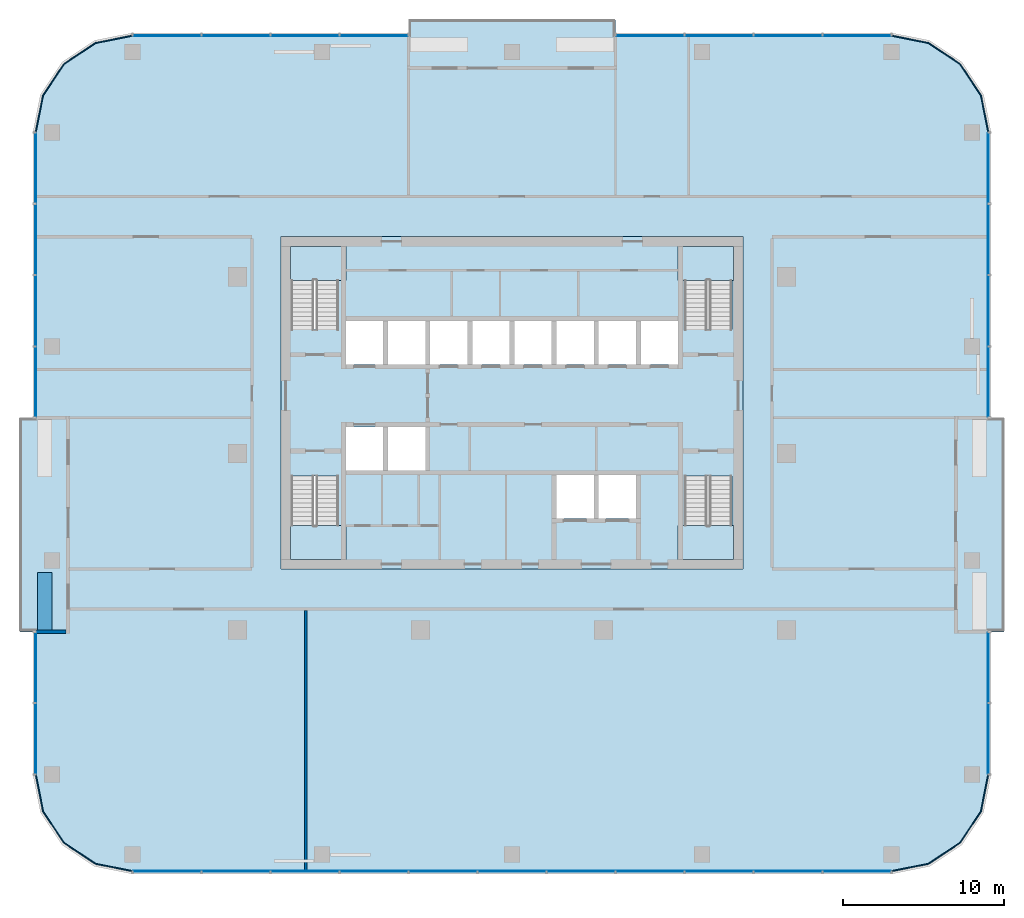
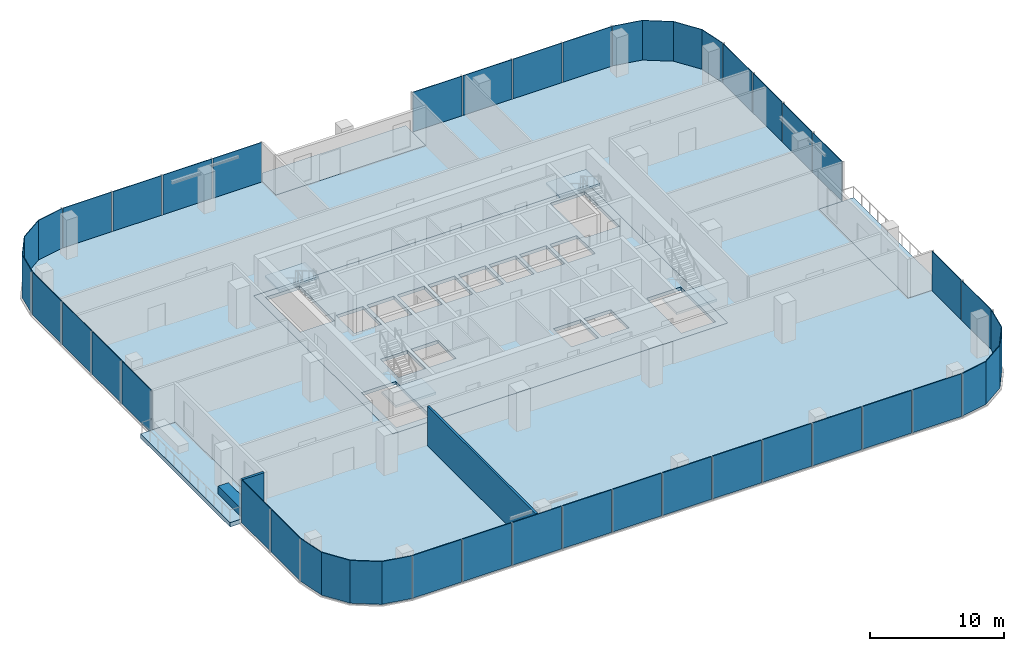
# One storey, part 6 of 13: 35 plates, 9 slabs, 3 walls, 15 elements without a shape of their own.
"""IFC4 building model written with IfcOpenShell, lengths in metres."""

from ifc_helpers import new_model, si_unit, direction, frame, frame_2d, origin, origin_2d, place, context, subcontext, project, spatial, polyline, rectangle, outline, extrude, material, layer, layer_set, type_object, element, aggregate, save


model = new_model("IFC4")

# Units and contexts
model_context = context("Model", 3, precision=1e-05, world=origin(), true_north=direction((0.0, 1.0)))
body_context = subcontext(model_context, "Body", "Model", "MODEL_VIEW")
ifc_project = project(units=[si_unit("LENGTHUNIT", "METRE"), si_unit("AREAUNIT", "SQUARE_METRE"), si_unit("VOLUMEUNIT", "CUBIC_METRE"), si_unit("PLANEANGLEUNIT", "RADIAN"), si_unit("MASSUNIT", "GRAM", prefix="KILO")], contexts=[model_context])

# Site, building, storey
site_placement = place(None, origin())
site = spatial("IfcSite", under=ifc_project, at=site_placement, CompositionType="ELEMENT")
building_placement = place(site_placement, origin())
building = spatial("IfcBuilding", under=site, at=building_placement, Name="Mopane Tessera Tower", CompositionType="ELEMENT")
storey_placement = place(building_placement, frame((0.0, 0.0, 287.39990234375)))
storey = spatial("IfcBuildingStorey", under=building, at=storey_placement, Name="L62", CompositionType="ELEMENT", Elevation=287.39990234375)

# Slab
ifc_material_1 = material(Name="Concrete C40/50", Category="concrete")
ifc_layer_1 = layer(ifc_material_1, 0.300048828125)
ifc_layer_set_1 = layer_set([ifc_layer_1], Name="Concrete C40/50")
slab_type_1 = type_object("IfcSlabType", Name="Core floor slab 300 mm", PredefinedType="FLOOR", material=ifc_layer_set_1)
slab_1_placement = place(storey_placement, frame((0.0, 0.0, -0.2998046875)))
element("IfcSlab", 1, at=slab_1_placement, inside=storey, type_object=slab_type_1, Name="L62 core floor slab", PredefinedType="FLOOR", context=body_context, shape_type="SweptSolid", body=[
    extrude(outline(polyline([(-14.39990234375, -7.199951171875), (14.39990234375, -7.199951171875), (14.39990234375, 13.5), (-14.39990234375, 13.5), (-14.39990234375, -7.199951171875)]), holes=[polyline([(-10.35009765625, -1.050048828125), (-8.02490234375, -1.050048828125), (-8.02490234375, 1.64990234375), (-10.35009765625, 1.64990234375), (-10.35009765625, -1.050048828125)]), polyline([(-7.72509765625, -1.050048828125), (-5.39990234375, -1.050048828125), (-5.39990234375, 1.64990234375), (-7.72509765625, 1.64990234375), (-7.72509765625, -1.050048828125)]), polyline([(-10.35009765625, 5.550048828125), (-8.02490234375, 5.550048828125), (-8.02490234375, 8.25), (-10.35009765625, 8.25), (-10.35009765625, 5.550048828125)]), polyline([(-7.72509765625, 5.550048828125), (-5.39990234375, 5.550048828125), (-5.39990234375, 8.25), (-7.72509765625, 8.25), (-7.72509765625, 5.550048828125)]), polyline([(-5.10009765625, 5.550048828125), (-2.77490234375, 5.550048828125), (-2.77490234375, 8.25), (-5.10009765625, 8.25), (-5.10009765625, 5.550048828125)]), polyline([(-2.47509765625, 5.550048828125), (-0.14990234375, 5.550048828125), (-0.14990234375, 8.25), (-2.47509765625, 8.25), (-2.47509765625, 5.550048828125)]), polyline([(0.14990234375, 5.550048828125), (2.47509765625, 5.550048828125), (2.47509765625, 8.25), (0.14990234375, 8.25), (0.14990234375, 5.550048828125)]), polyline([(2.77490234375, 5.550048828125), (5.10009765625, 5.550048828125), (5.10009765625, 8.25), (2.77490234375, 8.25), (2.77490234375, 5.550048828125)]), polyline([(5.39990234375, 5.550048828125), (7.72509765625, 5.550048828125), (7.72509765625, 8.25), (5.39990234375, 8.25), (5.39990234375, 5.550048828125)]), polyline([(8.02490234375, 5.550048828125), (10.35009765625, 5.550048828125), (10.35009765625, 8.25), (8.02490234375, 8.25), (8.02490234375, 5.550048828125)]), polyline([(2.77490234375, -4.050048828125), (5.10009765625, -4.050048828125), (5.10009765625, -1.35009765625), (2.77490234375, -1.35009765625), (2.77490234375, -4.050048828125)]), polyline([(5.39990234375, -4.050048828125), (7.72509765625, -4.050048828125), (7.72509765625, -1.35009765625), (5.39990234375, -1.35009765625), (5.39990234375, -4.050048828125)]), polyline([(-13.75, -1.405029296875), (-13.75, -6.60009765625), (-10.800048828125, -6.60009765625), (-10.800048828125, -1.405029296875), (-13.75, -1.405029296875)]), polyline([(-10.800048828125, 7.705078125), (-10.800048828125, 12.89990234375), (-13.75, 12.89990234375), (-13.75, 7.705078125), (-10.800048828125, 7.705078125)]), polyline([(10.75, -1.405029296875), (10.75, -6.60009765625), (13.699951171875, -6.60009765625), (13.699951171875, -1.405029296875), (10.75, -1.405029296875)]), polyline([(13.699951171875, 7.705078125), (13.699951171875, 12.89990234375), (10.75, 12.89990234375), (10.75, 7.705078125), (13.699951171875, 7.705078125)])]), origin(), (0.0, 0.0, 1.0), 0.2998046875),
])

# Stair, slab
ifc_material_2 = material(Name="Concrete C50/60", Category="concrete")
stair_type = type_object("IfcStairType", Name="Escape stair 1400 mm, riser 167 mm", PredefinedType="HALF_TURN_STAIR", material=ifc_material_2)
stair_1_placement = place(storey_placement, origin())
stair_1 = element("IfcStair", 2, at=stair_1_placement, inside=storey, type_object=stair_type, Name="L62 Escape stair south-west", PredefinedType="HALF_TURN_STAIR")
ifc_material_3 = material(Name="Concrete C50/60", Category="concrete")
ifc_layer_2 = layer(ifc_material_3, 0.199951171875)
ifc_layer_set_2 = layer_set([ifc_layer_2], Name="Concrete C50/60")
slab_type_2 = type_object("IfcSlabType", Name="Escape stair landing 200 mm", PredefinedType="LANDING", material=ifc_layer_set_2)
slab_2_placement = place(storey_placement, frame((0.0, 0.0, 1.800048828125)))
slab_2 = element("IfcSlab", 3, at=slab_2_placement, type_object=slab_type_2, Name="ST1 landing 1", PredefinedType="LANDING", context=body_context, shape_type="SweptSolid", body=[
    extrude(outline(polyline([(-13.800048828125, -4.47998046875), (-13.800048828125, -6.60009765625), (-10.35009765625, -6.60009765625), (-10.35009765625, -4.47998046875), (-13.800048828125, -4.47998046875)])), origin(), (0.0, 0.0, 1.0), 0.199951171875),
])
aggregate(stair_1, [slab_2])

stair_2_placement = place(storey_placement, origin())
stair_2 = element("IfcStair", 4, at=stair_2_placement, inside=storey, type_object=stair_type, Name="L62 Escape stair north-west", PredefinedType="HALF_TURN_STAIR")
slab_3_placement = place(storey_placement, frame((0.0, 0.0, 1.800048828125)))
slab_3 = element("IfcSlab", 5, at=slab_3_placement, type_object=slab_type_2, Name="ST2 landing 1", PredefinedType="LANDING", context=body_context, shape_type="SweptSolid", body=[
    extrude(outline(polyline([(-10.35009765625, 10.780029296875), (-10.35009765625, 12.89990234375), (-13.800048828125, 12.89990234375), (-13.800048828125, 10.780029296875), (-10.35009765625, 10.780029296875)])), origin(), (0.0, 0.0, 1.0), 0.199951171875),
])
aggregate(stair_2, [slab_3])

stair_3_placement = place(storey_placement, origin())
stair_3 = element("IfcStair", 6, at=stair_3_placement, inside=storey, type_object=stair_type, Name="L62 Escape stair south-east", PredefinedType="HALF_TURN_STAIR")
slab_4_placement = place(storey_placement, frame((0.0, 0.0, 1.800048828125)))
slab_4 = element("IfcSlab", 7, at=slab_4_placement, type_object=slab_type_2, Name="ST3 landing 1", PredefinedType="LANDING", context=body_context, shape_type="SweptSolid", body=[
    extrude(outline(polyline([(10.35009765625, -4.47998046875), (10.35009765625, -6.60009765625), (13.800048828125, -6.60009765625), (13.800048828125, -4.47998046875), (10.35009765625, -4.47998046875)])), origin(), (0.0, 0.0, 1.0), 0.199951171875),
])
aggregate(stair_3, [slab_4])

stair_4_placement = place(storey_placement, origin())
stair_4 = element("IfcStair", 8, at=stair_4_placement, inside=storey, type_object=stair_type, Name="L62 Escape stair north-east", PredefinedType="HALF_TURN_STAIR")
slab_5_placement = place(storey_placement, frame((0.0, 0.0, 1.800048828125)))
slab_5 = element("IfcSlab", 9, at=slab_5_placement, type_object=slab_type_2, Name="ST4 landing 1", PredefinedType="LANDING", context=body_context, shape_type="SweptSolid", body=[
    extrude(outline(polyline([(13.800048828125, 10.780029296875), (13.800048828125, 12.89990234375), (10.35009765625, 12.89990234375), (10.35009765625, 10.780029296875), (13.800048828125, 10.780029296875)])), origin(), (0.0, 0.0, 1.0), 0.199951171875),
])
aggregate(stair_4, [slab_5])

# Slabs
ifc_material_4 = material(Name="Concrete C40/50", Category="concrete")
ifc_layer_3 = layer(ifc_material_4, 0.39990234375)
ifc_layer_set_3 = layer_set([ifc_layer_3], Name="Concrete C40/50")
slab_type_3 = type_object("IfcSlabType", Name="Planted terrace slab 400 mm", PredefinedType="FLOOR", material=ifc_layer_set_3)
slab_6_placement = place(storey_placement, frame((0.0, 0.0, -0.39990234375)))
element("IfcSlab", 10, at=slab_6_placement, inside=storey, type_object=slab_type_3, Name="Terrace slab N1 L62", PredefinedType="FLOOR", context=body_context, shape_type="SweptSolid", body=[
    extrude(outline(polyline([(30.64990234375, 2.22216796875), (27.64990234375, 2.22216796875), (27.64990234375, -11.111083984375), (30.64990234375, -11.111083984375), (30.64990234375, 2.22216796875)])), origin(), (0.0, 0.0, 1.0), 0.39990234375),
])
slab_7_placement = place(storey_placement, frame((0.0, 0.0, -0.39990234375)))
element("IfcSlab", 11, at=slab_7_placement, inside=storey, type_object=slab_type_3, Name="Terrace slab N2 L62", PredefinedType="FLOOR", context=body_context, shape_type="SweptSolid", body=[
    extrude(outline(polyline([(-6.449951171875, 27.0), (-6.449951171875, 24.0), (6.449951171875, 24.0), (6.449951171875, 27.0), (-6.449951171875, 27.0)])), origin(), (0.0, 0.0, 1.0), 0.39990234375),
])
slab_8_placement = place(storey_placement, frame((0.0, 0.0, -0.39990234375)))
element("IfcSlab", 12, at=slab_8_placement, inside=storey, type_object=slab_type_3, Name="Terrace slab N3 L62", PredefinedType="FLOOR", context=body_context, shape_type="SweptSolid", body=[
    extrude(outline(polyline([(-30.64990234375, -11.111083984375), (-27.64990234375, -11.111083984375), (-27.64990234375, 2.22216796875), (-30.64990234375, 2.22216796875), (-30.64990234375, -11.111083984375)])), origin(), (0.0, 0.0, 1.0), 0.39990234375),
])
ifc_material_5 = material(Name="Concrete C40/50", Category="concrete")
ifc_layer_4 = layer(ifc_material_5, 0.39990234375)
ifc_layer_set_4 = layer_set([ifc_layer_4], Name="Concrete C40/50")
slab_type_4 = type_object("IfcSlabType", Name="Post-tensioned flat plate 400 mm", PredefinedType="FLOOR", material=ifc_layer_set_4)
slab_9_placement = place(storey_placement, frame((0.0, 0.0, -0.39990234375)))
element("IfcSlab", 13, at=slab_9_placement, inside=storey, type_object=slab_type_4, Name="Floor slab L62", PredefinedType="FLOOR", context=body_context, shape_type="SweptSolid", body=[
    extrude(outline(polyline([(29.64990234375, -20.0), (29.64990234375, -11.111083984375), (27.64990234375, -11.111083984375), (27.64990234375, 2.22216796875), (29.64990234375, 2.22216796875), (29.64990234375, 20.0), (29.193359375, 22.296142578125), (27.892578125, 24.24267578125), (25.946044921875, 25.543212890625), (23.64990234375, 26.0), (6.449951171875, 26.0), (6.449951171875, 24.0), (-6.449951171875, 24.0), (-6.449951171875, 26.0), (-23.64990234375, 26.0), (-25.946044921875, 25.543212890625), (-27.892578125, 24.24267578125), (-29.193359375, 22.296142578125), (-29.64990234375, 20.0), (-29.64990234375, 2.22216796875), (-27.64990234375, 2.22216796875), (-27.64990234375, -11.111083984375), (-29.64990234375, -11.111083984375), (-29.64990234375, -20.0), (-29.193359375, -22.296142578125), (-27.892578125, -24.24267578125), (-25.946044921875, -25.543212890625), (-23.64990234375, -26.0), (23.64990234375, -26.0), (25.946044921875, -25.543212890625), (27.892578125, -24.24267578125), (29.193359375, -22.296142578125), (29.64990234375, -20.0)]), holes=[polyline([(14.39990234375, -7.199951171875), (-14.39990234375, -7.199951171875), (-14.39990234375, 13.5), (14.39990234375, 13.5), (14.39990234375, -7.199951171875)])]), origin(), (0.0, 0.0, 1.0), 0.39990234375),
])

# Curtain wall, plates
ifc_material_6 = material(Name="Aluminium frame", Category="aluminium")
curtain_wall_type = type_object("IfcCurtainWallType", Name="Unitised curtain wall", PredefinedType="NOTDEFINED", material=ifc_material_6)
curtain_wall_1_placement = place(storey_placement, origin())
curtain_wall_1 = element("IfcCurtainWall", 14, at=curtain_wall_1_placement, inside=storey, type_object=curtain_wall_type, Name="e:cw:L62:S:0", PredefinedType="NOTDEFINED")
ifc_material_7 = material(Name="Clear laminated glass", Category="glass")
ifc_layer_5 = layer(ifc_material_7, 0.06005859375)
ifc_layer_set_5 = layer_set([ifc_layer_5], Name="Clear laminated glass")
plate_type = type_object("IfcPlateType", Name="Unitised glazed unit", PredefinedType="CURTAIN_PANEL", material=ifc_layer_set_5)
plate_1_placement = place(storey_placement, frame((-21.5, -26.030029296875, -0.27978515625), z_axis=(0.0, 0.0, 1.0), x_axis=(1.0, 0.0, 0.0)))
plate_1 = element("IfcPlate", 15, at=plate_1_placement, type_object=plate_type, Name="e:cw:L62:S:0:pn0", PredefinedType="CURTAIN_PANEL", context=body_context, shape_type="SweptSolid", body=[
    extrude(rectangle(XDim=4.199951171875, YDim=0.06005859375, at=origin_2d()), origin(), (0.0, 0.0, 1.0), 3.8798828125),
])
plate_2_placement = place(storey_placement, frame((-17.199951171875, -26.030029296875, -0.27978515625), z_axis=(0.0, 0.0, 1.0), x_axis=(1.0, 0.0, 0.0)))
plate_2 = element("IfcPlate", 16, at=plate_2_placement, type_object=plate_type, Name="e:cw:L62:S:0:pn1", PredefinedType="CURTAIN_PANEL", context=body_context, shape_type="SweptSolid", body=[
    extrude(rectangle(XDim=4.199951171875, YDim=0.06005859375, at=origin_2d()), origin(), (0.0, 0.0, 1.0), 3.8798828125),
])
plate_3_placement = place(storey_placement, frame((-12.89990234375, -26.030029296875, -0.27978515625), z_axis=(0.0, 0.0, 1.0), x_axis=(1.0, 0.0, 0.0)))
plate_3 = element("IfcPlate", 17, at=plate_3_placement, type_object=plate_type, Name="e:cw:L62:S:0:pn2", PredefinedType="CURTAIN_PANEL", context=body_context, shape_type="SweptSolid", body=[
    extrude(rectangle(XDim=4.199951171875, YDim=0.06005859375, at=origin_2d()), origin(), (0.0, 0.0, 1.0), 3.8798828125),
])
plate_4_placement = place(storey_placement, frame((-8.60009765625, -26.030029296875, -0.27978515625), z_axis=(0.0, 0.0, 1.0), x_axis=(1.0, 0.0, 0.0)))
plate_4 = element("IfcPlate", 18, at=plate_4_placement, type_object=plate_type, Name="e:cw:L62:S:0:pn3", PredefinedType="CURTAIN_PANEL", context=body_context, shape_type="SweptSolid", body=[
    extrude(rectangle(XDim=4.199951171875, YDim=0.06005859375, at=origin_2d()), origin(), (0.0, 0.0, 1.0), 3.8798828125),
])
plate_5_placement = place(storey_placement, frame((-4.300048828125, -26.030029296875, -0.27978515625), z_axis=(0.0, 0.0, 1.0), x_axis=(1.0, 0.0, 0.0)))
plate_5 = element("IfcPlate", 19, at=plate_5_placement, type_object=plate_type, Name="e:cw:L62:S:0:pn4", PredefinedType="CURTAIN_PANEL", context=body_context, shape_type="SweptSolid", body=[
    extrude(rectangle(XDim=4.199951171875, YDim=0.06005859375, at=origin_2d()), origin(), (0.0, 0.0, 1.0), 3.8798828125),
])
plate_6_placement = place(storey_placement, frame((0.0, -26.030029296875, -0.27978515625), z_axis=(0.0, 0.0, 1.0), x_axis=(1.0, 0.0, 0.0)))
plate_6 = element("IfcPlate", 20, at=plate_6_placement, type_object=plate_type, Name="e:cw:L62:S:0:pn5", PredefinedType="CURTAIN_PANEL", context=body_context, shape_type="SweptSolid", body=[
    extrude(rectangle(XDim=4.199951171875, YDim=0.06005859375, at=origin_2d()), origin(), (0.0, 0.0, 1.0), 3.8798828125),
])
plate_7_placement = place(storey_placement, frame((4.300048828125, -26.030029296875, -0.27978515625), z_axis=(0.0, 0.0, 1.0), x_axis=(1.0, 0.0, 0.0)))
plate_7 = element("IfcPlate", 21, at=plate_7_placement, type_object=plate_type, Name="e:cw:L62:S:0:pn6", PredefinedType="CURTAIN_PANEL", context=body_context, shape_type="SweptSolid", body=[
    extrude(rectangle(XDim=4.199951171875, YDim=0.06005859375, at=origin_2d()), origin(), (0.0, 0.0, 1.0), 3.8798828125),
])
plate_8_placement = place(storey_placement, frame((8.60009765625, -26.030029296875, -0.27978515625), z_axis=(0.0, 0.0, 1.0), x_axis=(1.0, 0.0, 0.0)))
plate_8 = element("IfcPlate", 22, at=plate_8_placement, type_object=plate_type, Name="e:cw:L62:S:0:pn7", PredefinedType="CURTAIN_PANEL", context=body_context, shape_type="SweptSolid", body=[
    extrude(rectangle(XDim=4.199951171875, YDim=0.06005859375, at=origin_2d()), origin(), (0.0, 0.0, 1.0), 3.8798828125),
])
plate_9_placement = place(storey_placement, frame((12.89990234375, -26.030029296875, -0.27978515625), z_axis=(0.0, 0.0, 1.0), x_axis=(1.0, 0.0, 0.0)))
plate_9 = element("IfcPlate", 23, at=plate_9_placement, type_object=plate_type, Name="e:cw:L62:S:0:pn8", PredefinedType="CURTAIN_PANEL", context=body_context, shape_type="SweptSolid", body=[
    extrude(rectangle(XDim=4.199951171875, YDim=0.06005859375, at=origin_2d()), origin(), (0.0, 0.0, 1.0), 3.8798828125),
])
plate_10_placement = place(storey_placement, frame((17.199951171875, -26.030029296875, -0.27978515625), z_axis=(0.0, 0.0, 1.0), x_axis=(1.0, 0.0, 0.0)))
plate_10 = element("IfcPlate", 24, at=plate_10_placement, type_object=plate_type, Name="e:cw:L62:S:0:pn9", PredefinedType="CURTAIN_PANEL", context=body_context, shape_type="SweptSolid", body=[
    extrude(rectangle(XDim=4.199951171875, YDim=0.06005859375, at=origin_2d()), origin(), (0.0, 0.0, 1.0), 3.8798828125),
])
plate_11_placement = place(storey_placement, frame((21.5, -26.030029296875, -0.27978515625), z_axis=(0.0, 0.0, 1.0), x_axis=(1.0, 0.0, 0.0)))
plate_11 = element("IfcPlate", 25, at=plate_11_placement, type_object=plate_type, Name="e:cw:L62:S:0:pn10", PredefinedType="CURTAIN_PANEL", context=body_context, shape_type="SweptSolid", body=[
    extrude(rectangle(XDim=4.199951171875, YDim=0.06005859375, at=origin_2d()), origin(), (0.0, 0.0, 1.0), 3.8798828125),
])
aggregate(curtain_wall_1, [plate_1, plate_2, plate_3, plate_4, plate_5, plate_6, plate_7, plate_8, plate_9, plate_10, plate_11])

# Curtain wall, plate
curtain_wall_2_placement = place(storey_placement, origin())
curtain_wall_2 = element("IfcCurtainWall", 26, at=curtain_wall_2_placement, inside=storey, type_object=curtain_wall_type, Name="e:cw:L62:CS", PredefinedType="NOTDEFINED")
plate_12_placement = place(storey_placement, frame((0.0, 0.0, -0.27978515625)))
plate_12 = element("IfcPlate", 27, at=plate_12_placement, type_object=plate_type, Name="e:cw:L62:CS:pn", PredefinedType="CURTAIN_PANEL", context=body_context, shape_type="SweptSolid", body=[
    extrude(outline(polyline([(23.64990234375, -26.0), (25.946044921875, -25.543212890625), (27.892578125, -24.24267578125), (29.193359375, -22.296142578125), (29.64990234375, -20.0), (29.7099609375, -20.0), (29.248779296875, -22.319091796875), (27.93505859375, -24.28515625), (25.968994140625, -25.5986328125), (23.64990234375, -26.06005859375), (23.64990234375, -26.0)])), origin(), (0.0, 0.0, 1.0), 3.8798828125),
])
aggregate(curtain_wall_2, [plate_12])

# Curtain wall, plates
curtain_wall_3_placement = place(storey_placement, origin())
curtain_wall_3 = element("IfcCurtainWall", 28, at=curtain_wall_3_placement, inside=storey, type_object=curtain_wall_type, Name="e:cw:L62:E:0", PredefinedType="NOTDEFINED")
plate_13_placement = place(storey_placement, frame((29.679931640625, -17.77783203125, -0.27978515625), z_axis=(0.0, 0.0, 1.0), x_axis=(0.0, 1.0, 0.0)))
plate_13 = element("IfcPlate", 29, at=plate_13_placement, type_object=plate_type, Name="e:cw:L62:E:0:pn0", PredefinedType="CURTAIN_PANEL", context=body_context, shape_type="SweptSolid", body=[
    extrude(rectangle(XDim=4.344482421875, YDim=0.06005859375, at=origin_2d()), origin(), (0.0, 0.0, 1.0), 3.8798828125),
])
plate_14_placement = place(storey_placement, frame((29.679931640625, -13.333251953125, -0.27978515625), z_axis=(0.0, 0.0, 1.0), x_axis=(0.0, 1.0, 0.0)))
plate_14 = element("IfcPlate", 30, at=plate_14_placement, type_object=plate_type, Name="e:cw:L62:E:0:pn1", PredefinedType="CURTAIN_PANEL", context=body_context, shape_type="SweptSolid", body=[
    extrude(rectangle(XDim=4.344482421875, YDim=0.06005859375, at=origin_2d()), origin(), (0.0, 0.0, 1.0), 3.8798828125),
])
aggregate(curtain_wall_3, [plate_13, plate_14])

curtain_wall_4_placement = place(storey_placement, origin())
curtain_wall_4 = element("IfcCurtainWall", 31, at=curtain_wall_4_placement, inside=storey, type_object=curtain_wall_type, Name="e:cw:L62:E:5", PredefinedType="NOTDEFINED")
plate_15_placement = place(storey_placement, frame((29.679931640625, 4.4443359375, -0.27978515625), z_axis=(0.0, 0.0, 1.0), x_axis=(0.0, 1.0, 0.0)))
plate_15 = element("IfcPlate", 32, at=plate_15_placement, type_object=plate_type, Name="e:cw:L62:E:5:pn5", PredefinedType="CURTAIN_PANEL", context=body_context, shape_type="SweptSolid", body=[
    extrude(rectangle(XDim=4.344482421875, YDim=0.06005859375, at=origin_2d()), origin(), (0.0, 0.0, 1.0), 3.8798828125),
])
plate_16_placement = place(storey_placement, frame((29.679931640625, 8.888916015625, -0.27978515625), z_axis=(0.0, 0.0, 1.0), x_axis=(0.0, 1.0, 0.0)))
plate_16 = element("IfcPlate", 33, at=plate_16_placement, type_object=plate_type, Name="e:cw:L62:E:5:pn6", PredefinedType="CURTAIN_PANEL", context=body_context, shape_type="SweptSolid", body=[
    extrude(rectangle(XDim=4.344482421875, YDim=0.06005859375, at=origin_2d()), origin(), (0.0, 0.0, 1.0), 3.8798828125),
])
plate_17_placement = place(storey_placement, frame((29.679931640625, 13.333251953125, -0.27978515625), z_axis=(0.0, 0.0, 1.0), x_axis=(0.0, 1.0, 0.0)))
plate_17 = element("IfcPlate", 34, at=plate_17_placement, type_object=plate_type, Name="e:cw:L62:E:5:pn7", PredefinedType="CURTAIN_PANEL", context=body_context, shape_type="SweptSolid", body=[
    extrude(rectangle(XDim=4.344482421875, YDim=0.06005859375, at=origin_2d()), origin(), (0.0, 0.0, 1.0), 3.8798828125),
])
plate_18_placement = place(storey_placement, frame((29.679931640625, 17.77783203125, -0.27978515625), z_axis=(0.0, 0.0, 1.0), x_axis=(0.0, 1.0, 0.0)))
plate_18 = element("IfcPlate", 35, at=plate_18_placement, type_object=plate_type, Name="e:cw:L62:E:5:pn8", PredefinedType="CURTAIN_PANEL", context=body_context, shape_type="SweptSolid", body=[
    extrude(rectangle(XDim=4.344482421875, YDim=0.06005859375, at=origin_2d()), origin(), (0.0, 0.0, 1.0), 3.8798828125),
])
aggregate(curtain_wall_4, [plate_15, plate_16, plate_17, plate_18])

# Curtain wall, plate
curtain_wall_5_placement = place(storey_placement, origin())
curtain_wall_5 = element("IfcCurtainWall", 36, at=curtain_wall_5_placement, inside=storey, type_object=curtain_wall_type, Name="e:cw:L62:CE", PredefinedType="NOTDEFINED")
plate_19_placement = place(storey_placement, frame((0.0, 0.0, -0.27978515625)))
plate_19 = element("IfcPlate", 37, at=plate_19_placement, type_object=plate_type, Name="e:cw:L62:CE:pn", PredefinedType="CURTAIN_PANEL", context=body_context, shape_type="SweptSolid", body=[
    extrude(outline(polyline([(29.64990234375, 20.0), (29.193359375, 22.296142578125), (27.892578125, 24.24267578125), (25.946044921875, 25.543212890625), (23.64990234375, 26.0), (23.64990234375, 26.06005859375), (25.968994140625, 25.5986328125), (27.93505859375, 24.28515625), (29.248779296875, 22.319091796875), (29.7099609375, 20.0), (29.64990234375, 20.0)])), origin(), (0.0, 0.0, 1.0), 3.8798828125),
])
aggregate(curtain_wall_5, [plate_19])

# Curtain wall, plates
curtain_wall_6_placement = place(storey_placement, origin())
curtain_wall_6 = element("IfcCurtainWall", 38, at=curtain_wall_6_placement, inside=storey, type_object=curtain_wall_type, Name="e:cw:L62:N:0", PredefinedType="NOTDEFINED")
plate_20_placement = place(storey_placement, frame((21.5, 26.030029296875, -0.27978515625), z_axis=(0.0, 0.0, 1.0), x_axis=(-1.0, 0.0, 0.0)))
plate_20 = element("IfcPlate", 39, at=plate_20_placement, type_object=plate_type, Name="e:cw:L62:N:0:pn0", PredefinedType="CURTAIN_PANEL", context=body_context, shape_type="SweptSolid", body=[
    extrude(rectangle(XDim=4.199951171875, YDim=0.06005859375, at=origin_2d()), origin(), (0.0, 0.0, 1.0), 3.8798828125),
])
plate_21_placement = place(storey_placement, frame((17.199951171875, 26.030029296875, -0.27978515625), z_axis=(0.0, 0.0, 1.0), x_axis=(-1.0, 0.0, 0.0)))
plate_21 = element("IfcPlate", 40, at=plate_21_placement, type_object=plate_type, Name="e:cw:L62:N:0:pn1", PredefinedType="CURTAIN_PANEL", context=body_context, shape_type="SweptSolid", body=[
    extrude(rectangle(XDim=4.199951171875, YDim=0.06005859375, at=origin_2d()), origin(), (0.0, 0.0, 1.0), 3.8798828125),
])
plate_22_placement = place(storey_placement, frame((12.89990234375, 26.030029296875, -0.27978515625), z_axis=(0.0, 0.0, 1.0), x_axis=(-1.0, 0.0, 0.0)))
plate_22 = element("IfcPlate", 41, at=plate_22_placement, type_object=plate_type, Name="e:cw:L62:N:0:pn2", PredefinedType="CURTAIN_PANEL", context=body_context, shape_type="SweptSolid", body=[
    extrude(rectangle(XDim=4.199951171875, YDim=0.06005859375, at=origin_2d()), origin(), (0.0, 0.0, 1.0), 3.8798828125),
])
plate_23_placement = place(storey_placement, frame((8.60009765625, 26.030029296875, -0.27978515625), z_axis=(0.0, 0.0, 1.0), x_axis=(-1.0, 0.0, 0.0)))
plate_23 = element("IfcPlate", 42, at=plate_23_placement, type_object=plate_type, Name="e:cw:L62:N:0:pn3", PredefinedType="CURTAIN_PANEL", context=body_context, shape_type="SweptSolid", body=[
    extrude(rectangle(XDim=4.199951171875, YDim=0.06005859375, at=origin_2d()), origin(), (0.0, 0.0, 1.0), 3.8798828125),
])
aggregate(curtain_wall_6, [plate_20, plate_21, plate_22, plate_23])

curtain_wall_7_placement = place(storey_placement, origin())
curtain_wall_7 = element("IfcCurtainWall", 43, at=curtain_wall_7_placement, inside=storey, type_object=curtain_wall_type, Name="e:cw:L62:N:7", PredefinedType="NOTDEFINED")
plate_24_placement = place(storey_placement, frame((-8.60009765625, 26.030029296875, -0.27978515625), z_axis=(0.0, 0.0, 1.0), x_axis=(-1.0, 0.0, 0.0)))
plate_24 = element("IfcPlate", 44, at=plate_24_placement, type_object=plate_type, Name="e:cw:L62:N:7:pn7", PredefinedType="CURTAIN_PANEL", context=body_context, shape_type="SweptSolid", body=[
    extrude(rectangle(XDim=4.199951171875, YDim=0.06005859375, at=origin_2d()), origin(), (0.0, 0.0, 1.0), 3.8798828125),
])
plate_25_placement = place(storey_placement, frame((-12.89990234375, 26.030029296875, -0.27978515625), z_axis=(0.0, 0.0, 1.0), x_axis=(-1.0, 0.0, 0.0)))
plate_25 = element("IfcPlate", 45, at=plate_25_placement, type_object=plate_type, Name="e:cw:L62:N:7:pn8", PredefinedType="CURTAIN_PANEL", context=body_context, shape_type="SweptSolid", body=[
    extrude(rectangle(XDim=4.199951171875, YDim=0.06005859375, at=origin_2d()), origin(), (0.0, 0.0, 1.0), 3.8798828125),
])
plate_26_placement = place(storey_placement, frame((-17.199951171875, 26.030029296875, -0.27978515625), z_axis=(0.0, 0.0, 1.0), x_axis=(-1.0, 0.0, 0.0)))
plate_26 = element("IfcPlate", 46, at=plate_26_placement, type_object=plate_type, Name="e:cw:L62:N:7:pn9", PredefinedType="CURTAIN_PANEL", context=body_context, shape_type="SweptSolid", body=[
    extrude(rectangle(XDim=4.199951171875, YDim=0.06005859375, at=origin_2d()), origin(), (0.0, 0.0, 1.0), 3.8798828125),
])
plate_27_placement = place(storey_placement, frame((-21.5, 26.030029296875, -0.27978515625), z_axis=(0.0, 0.0, 1.0), x_axis=(-1.0, 0.0, 0.0)))
plate_27 = element("IfcPlate", 47, at=plate_27_placement, type_object=plate_type, Name="e:cw:L62:N:7:pn10", PredefinedType="CURTAIN_PANEL", context=body_context, shape_type="SweptSolid", body=[
    extrude(rectangle(XDim=4.199951171875, YDim=0.06005859375, at=origin_2d()), origin(), (0.0, 0.0, 1.0), 3.8798828125),
])
aggregate(curtain_wall_7, [plate_24, plate_25, plate_26, plate_27])

# Curtain wall, plate
curtain_wall_8_placement = place(storey_placement, origin())
curtain_wall_8 = element("IfcCurtainWall", 48, at=curtain_wall_8_placement, inside=storey, type_object=curtain_wall_type, Name="e:cw:L62:CN", PredefinedType="NOTDEFINED")
plate_28_placement = place(storey_placement, frame((0.0, 0.0, -0.27978515625)))
plate_28 = element("IfcPlate", 49, at=plate_28_placement, type_object=plate_type, Name="e:cw:L62:CN:pn", PredefinedType="CURTAIN_PANEL", context=body_context, shape_type="SweptSolid", body=[
    extrude(outline(polyline([(-23.64990234375, 26.0), (-25.946044921875, 25.543212890625), (-27.892578125, 24.24267578125), (-29.193359375, 22.296142578125), (-29.64990234375, 20.0), (-29.7099609375, 20.0), (-29.248779296875, 22.319091796875), (-27.93505859375, 24.28515625), (-25.968994140625, 25.5986328125), (-23.64990234375, 26.06005859375), (-23.64990234375, 26.0)])), origin(), (0.0, 0.0, 1.0), 3.8798828125),
])
aggregate(curtain_wall_8, [plate_28])

# Curtain wall, plates
curtain_wall_9_placement = place(storey_placement, origin())
curtain_wall_9 = element("IfcCurtainWall", 50, at=curtain_wall_9_placement, inside=storey, type_object=curtain_wall_type, Name="e:cw:L62:W:0", PredefinedType="NOTDEFINED")
plate_29_placement = place(storey_placement, frame((-29.679931640625, 17.77783203125, -0.27978515625), z_axis=(0.0, 0.0, 1.0), x_axis=(0.0, -1.0, 0.0)))
plate_29 = element("IfcPlate", 51, at=plate_29_placement, type_object=plate_type, Name="e:cw:L62:W:0:pn0", PredefinedType="CURTAIN_PANEL", context=body_context, shape_type="SweptSolid", body=[
    extrude(rectangle(XDim=4.344482421875, YDim=0.06005859375, at=origin_2d()), origin(), (0.0, 0.0, 1.0), 3.8798828125),
])
plate_30_placement = place(storey_placement, frame((-29.679931640625, 13.333251953125, -0.27978515625), z_axis=(0.0, 0.0, 1.0), x_axis=(0.0, -1.0, 0.0)))
plate_30 = element("IfcPlate", 52, at=plate_30_placement, type_object=plate_type, Name="e:cw:L62:W:0:pn1", PredefinedType="CURTAIN_PANEL", context=body_context, shape_type="SweptSolid", body=[
    extrude(rectangle(XDim=4.344482421875, YDim=0.06005859375, at=origin_2d()), origin(), (0.0, 0.0, 1.0), 3.8798828125),
])
plate_31_placement = place(storey_placement, frame((-29.679931640625, 8.888916015625, -0.27978515625), z_axis=(0.0, 0.0, 1.0), x_axis=(0.0, -1.0, 0.0)))
plate_31 = element("IfcPlate", 53, at=plate_31_placement, type_object=plate_type, Name="e:cw:L62:W:0:pn2", PredefinedType="CURTAIN_PANEL", context=body_context, shape_type="SweptSolid", body=[
    extrude(rectangle(XDim=4.344482421875, YDim=0.06005859375, at=origin_2d()), origin(), (0.0, 0.0, 1.0), 3.8798828125),
])
plate_32_placement = place(storey_placement, frame((-29.679931640625, 4.4443359375, -0.27978515625), z_axis=(0.0, 0.0, 1.0), x_axis=(0.0, -1.0, 0.0)))
plate_32 = element("IfcPlate", 54, at=plate_32_placement, type_object=plate_type, Name="e:cw:L62:W:0:pn3", PredefinedType="CURTAIN_PANEL", context=body_context, shape_type="SweptSolid", body=[
    extrude(rectangle(XDim=4.344482421875, YDim=0.06005859375, at=origin_2d()), origin(), (0.0, 0.0, 1.0), 3.8798828125),
])
aggregate(curtain_wall_9, [plate_29, plate_30, plate_31, plate_32])

curtain_wall_10_placement = place(storey_placement, origin())
curtain_wall_10 = element("IfcCurtainWall", 55, at=curtain_wall_10_placement, inside=storey, type_object=curtain_wall_type, Name="e:cw:L62:W:7", PredefinedType="NOTDEFINED")
plate_33_placement = place(storey_placement, frame((-29.679931640625, -13.333251953125, -0.27978515625), z_axis=(0.0, 0.0, 1.0), x_axis=(0.0, -1.0, 0.0)))
plate_33 = element("IfcPlate", 56, at=plate_33_placement, type_object=plate_type, Name="e:cw:L62:W:7:pn7", PredefinedType="CURTAIN_PANEL", context=body_context, shape_type="SweptSolid", body=[
    extrude(rectangle(XDim=4.344482421875, YDim=0.06005859375, at=origin_2d()), origin(), (0.0, 0.0, 1.0), 3.8798828125),
])
plate_34_placement = place(storey_placement, frame((-29.679931640625, -17.77783203125, -0.27978515625), z_axis=(0.0, 0.0, 1.0), x_axis=(0.0, -1.0, 0.0)))
plate_34 = element("IfcPlate", 57, at=plate_34_placement, type_object=plate_type, Name="e:cw:L62:W:7:pn8", PredefinedType="CURTAIN_PANEL", context=body_context, shape_type="SweptSolid", body=[
    extrude(rectangle(XDim=4.344482421875, YDim=0.06005859375, at=origin_2d()), origin(), (0.0, 0.0, 1.0), 3.8798828125),
])
aggregate(curtain_wall_10, [plate_33, plate_34])

# Curtain wall, plate
curtain_wall_11_placement = place(storey_placement, origin())
curtain_wall_11 = element("IfcCurtainWall", 58, at=curtain_wall_11_placement, inside=storey, type_object=curtain_wall_type, Name="e:cw:L62:CW", PredefinedType="NOTDEFINED")
plate_35_placement = place(storey_placement, frame((0.0, 0.0, -0.27978515625)))
plate_35 = element("IfcPlate", 59, at=plate_35_placement, type_object=plate_type, Name="e:cw:L62:CW:pn", PredefinedType="CURTAIN_PANEL", context=body_context, shape_type="SweptSolid", body=[
    extrude(outline(polyline([(-29.64990234375, -20.0), (-29.193359375, -22.296142578125), (-27.892578125, -24.24267578125), (-25.946044921875, -25.543212890625), (-23.64990234375, -26.0), (-23.64990234375, -26.06005859375), (-25.968994140625, -25.5986328125), (-27.93505859375, -24.28515625), (-29.248779296875, -22.319091796875), (-29.7099609375, -20.0), (-29.64990234375, -20.0)])), origin(), (0.0, 0.0, 1.0), 3.8798828125),
])
aggregate(curtain_wall_11, [plate_35])

# Walls
ifc_material_8 = material(Name="Gypsum board on staggered steel studs, double layer each face, acoustic mineral wool infill", Category="steel")
ifc_layer_6 = layer(ifc_material_8, 0.175048828125)
ifc_layer_set_6 = layer_set([ifc_layer_6], Name="Gypsum board on staggered steel studs, double layer each face, acoustic mineral wool infill")
wall_type_1 = type_object("IfcWallType", Name="Gypsum board acoustic partition 175, rated EI 60", PredefinedType="PARTITIONING", material=ifc_layer_set_6)
wall_1_placement = place(storey_placement, frame((-12.85009765625, -25.949951171875, 0.0), z_axis=(0.0, 0.0, 1.0), x_axis=(0.0, 1.0, 0.0)))
element("IfcWall", 60, at=wall_1_placement, inside=storey, type_object=wall_type_1, Name="Partition L62:011", PredefinedType="PARTITIONING", context=body_context, shape_type="SweptSolid", body=[
    extrude(rectangle(XDim=16.14990234375, YDim=0.175048828125, at=frame_2d((8.074951171875, 0.0))), origin(), (0.0, 0.0, 1.0), 3.60009765625),
])
ifc_material_9 = material(Name="Reinforced concrete C32/40 with waterproofing", Category="concrete")
ifc_layer_7 = layer(ifc_material_9, 0.89990234375)
ifc_layer_set_7 = layer_set([ifc_layer_7], Name="Reinforced concrete C32/40 with waterproofing")
wall_type_2 = type_object("IfcWallType", Name="Planter trough 3600 x 900", PredefinedType="STANDARD", material=ifc_layer_set_7)
wall_2_placement = place(storey_placement, frame((-29.10009765625, -7.4111328125, 0.0), z_axis=(0.0, 0.0, 1.0), x_axis=(0.0, -1.0, 0.0)))
element("IfcWall", 61, at=wall_2_placement, inside=storey, type_object=wall_type_2, Name="e:nw:L62:N3:pl1", PredefinedType="STANDARD", context=body_context, shape_type="SweptSolid", body=[
    extrude(rectangle(XDim=3.60009765625, YDim=0.89990234375, at=frame_2d((1.800048828125, 0.0))), origin(), (0.0, 0.0, 1.0), 0.7001953125),
])
ifc_material_10 = material(Name="Blockwork with glazed tile facing", Category="masonry")
ifc_layer_8 = layer(ifc_material_10, 0.199951171875)
ifc_layer_set_8 = layer_set([ifc_layer_8], Name="Blockwork with glazed tile facing")
wall_type_3 = type_object("IfcWallType", Name="Terrace cheek wall 200", PredefinedType="STANDARD", material=ifc_layer_set_8)
wall_3_placement = place(storey_placement, frame((-29.64990234375, -11.111083984375, 0.0), z_axis=(0.0, 0.0, 1.0), x_axis=(1.0, 0.0, 0.0)))
element("IfcWall", 62, at=wall_3_placement, inside=storey, type_object=wall_type_3, Name="e:nw:L62:N3:cheekb", PredefinedType="STANDARD", context=body_context, shape_type="SweptSolid", body=[
    extrude(rectangle(XDim=1.875, YDim=0.199951171875, at=frame_2d((0.9375, 0.0))), origin(), (0.0, 0.0, 1.0), 3.60009765625),
])

save(model, "model.ifc")
